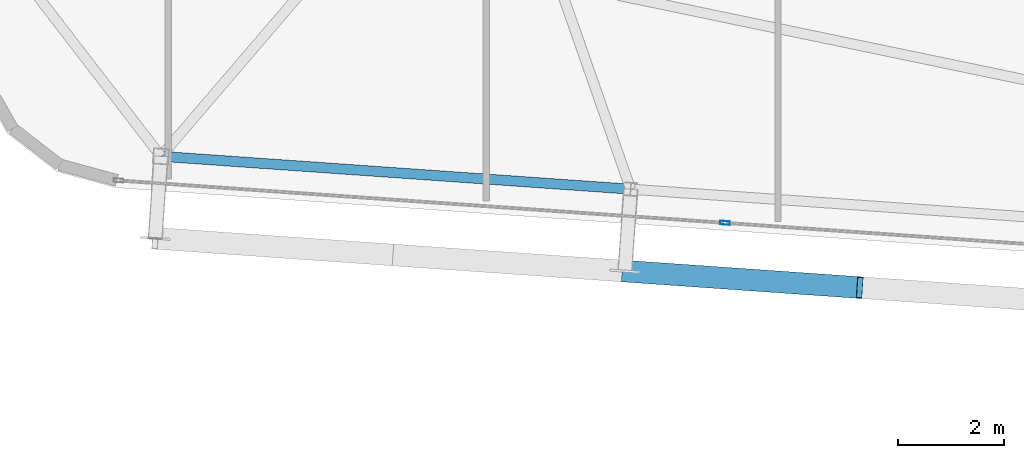
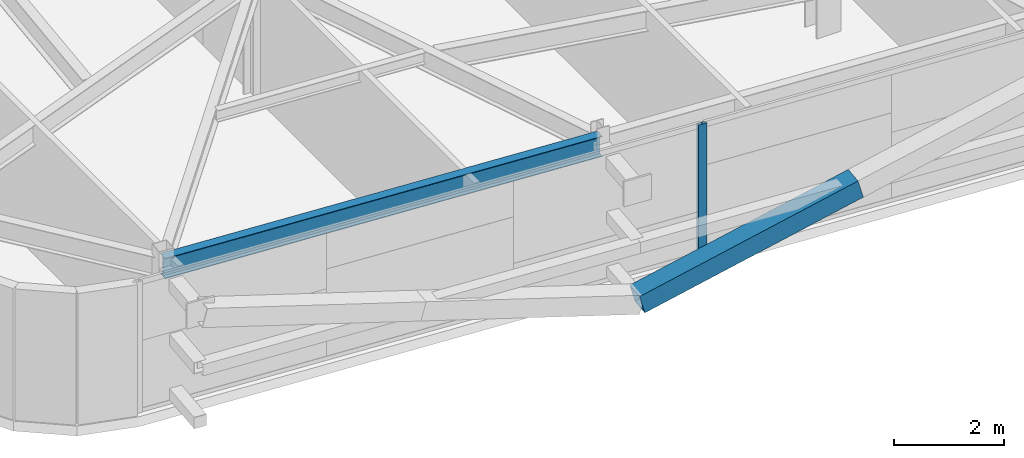
# One storey, part 7 of 39: 2 members, 1 beam, 1 element without a shape of its own.
"""IFC4 building model written with IfcOpenShell, lengths in metres."""

from ifc_helpers import new_model, si_unit, direction, frame, origin, origin_2d, place, context, subcontext, project, spatial, hollow_rectangle, i_section, extrude, source, transform, mapped, material, layer, layer_set, material_profile, profile_set, type_object, element, aggregate, save


model = new_model("IFC4")

# Units and contexts
model_context = context("Model", 3, precision=1e-05, world=origin(), true_north=direction((0.0, 1.0)))
body_context = subcontext(model_context, "Body", "Model", "MODEL_VIEW")
ifc_project = project(units=[si_unit("LENGTHUNIT", "METRE"), si_unit("AREAUNIT", "SQUARE_METRE"), si_unit("VOLUMEUNIT", "CUBIC_METRE"), si_unit("PLANEANGLEUNIT", "RADIAN"), si_unit("MASSUNIT", "GRAM", prefix="KILO")], contexts=[model_context])

# Site, building, storey
site_placement = place(None, origin())
site = spatial("IfcSite", under=ifc_project, at=site_placement, CompositionType="ELEMENT")
building_placement = place(site_placement, origin())
building = spatial("IfcBuilding", under=site, at=building_placement, Name="Taldren Reach Tower", CompositionType="ELEMENT")
storey_placement = place(building_placement, frame((0.0, 0.0, 123.550048828125)))
storey = spatial("IfcBuildingStorey", under=building, at=storey_placement, Name="L37", CompositionType="ELEMENT", Elevation=123.550048828125)

# Beam
ifc_material_1 = material(Name="Steel Gr 350 (350PLUS)", Category="steel")
ifc_material_profile_1 = material_profile(ifc_material_1, i_section(OverallWidth=0.18994140625, OverallDepth=0.4541015625, WebThickness=0.008544921875, FlangeThickness=0.0126953125, at=origin_2d()), Name="460UB67.1")
ifc_profile_set_1 = profile_set([ifc_material_profile_1], Name="Steel Gr 350 (350PLUS)")
beam_type = type_object("IfcBeamType", Name="SP-UB460B", PredefinedType="SPANDREL", material=ifc_profile_set_1)
shared_shape_1 = source(origin(), body_context, "Body", "SweptSolid", [
    extrude(i_section(OverallWidth=0.18994140625, OverallDepth=0.4541015625, WebThickness=0.008544921875, FlangeThickness=0.0126953125, at=origin_2d()), origin(), (0.0, 0.0, 1.0), 8.880126953125),
])
beam_placement = place(storey_placement, frame((11.863525390625, 5.33837890625, 2.702880859375), z_axis=(0.997564479639, -0.069750333063, 0.0), x_axis=(0.069750333063, 0.997564479639, 0.0)))
element("IfcBeam", 1, at=beam_placement, inside=storey, type_object=beam_type, Name="Perimeter spandrel B3 S1-S2 L37", PredefinedType="SPANDREL", context=body_context, shape_type="MappedRepresentation", body=[
    mapped(shared_shape_1, transform((0.0, 0.0, 0.0), scale=1.0)),
])

# Member
ifc_material_2 = material(Name="Steel Gr 450 (C450L0)", Category="steel")
ifc_material_profile_2 = material_profile(ifc_material_2, hollow_rectangle(XDim=0.409912109375, YDim=0.409912109375, WallThickness=0.01611328125, at=origin_2d()), Name="410x410x16.0SHS")
ifc_profile_set_2 = profile_set([ifc_material_profile_2], Name="Steel Gr 450 (C450L0)")
member_type_1 = type_object("IfcMemberType", Name="MB-EXO406", PredefinedType="BRACE", material=ifc_profile_set_2)
shared_shape_2 = source(origin(), body_context, "Body", "SweptSolid", [
    extrude(hollow_rectangle(XDim=0.409912109375, YDim=0.409912109375, WallThickness=0.01611328125, at=origin_2d()), origin(), (0.0, 0.0, 1.0), 4.603271484375),
])
member_1_placement = place(storey_placement, frame((20.61376953125, 3.1728515625, 0.219970703125), z_axis=(0.962182351074, -0.067302910567, 0.263961060594), x_axis=(0.06977769246, 0.997562566276, 0.0)))
element("IfcMember", 2, at=member_1_placement, inside=storey, type_object=member_type_1, Name="Exoskeleton Diagrid Brace B3-S2 L37", PredefinedType="BRACE", context=body_context, shape_type="MappedRepresentation", body=[
    mapped(shared_shape_2, transform((0.0, 0.0, 0.0), scale=1.0)),
])

# Curtain wall, member
ifc_material_3 = material(Name="Aluminium and Low-E Glass Unitised System", Category="aluminium")
ifc_layer = layer(ifc_material_3, 0.159912109375)
ifc_layer_set = layer_set([ifc_layer], Name="Aluminium and Low-E Glass Unitised System")
curtain_wall_type = type_object("IfcCurtainWallType", Name="CW-SYS-4", PredefinedType="NOTDEFINED", material=ifc_layer_set)
curtain_wall_placement = place(storey_placement, origin())
curtain_wall = element("IfcCurtainWall", 3, at=curtain_wall_placement, inside=storey, type_object=curtain_wall_type, Name="Unitised curtain wall CW-L37-S", PredefinedType="NOTDEFINED")
ifc_material_4 = material(Name="Anodised Aluminium 6063-T6", Category="aluminium")
ifc_material_profile_3 = material_profile(ifc_material_4, hollow_rectangle(XDim=0.070068359375, YDim=0.179931640625, WallThickness=0.00390625, at=origin_2d()), Name="ALU-180x70x4RHS")
ifc_profile_set_3 = profile_set([ifc_material_profile_3], Name="Anodised Aluminium 6063-T6")
member_type_2 = type_object("IfcMemberType", Name="CW-MUL-180", PredefinedType="MULLION", material=ifc_profile_set_3)
shared_shape_3 = source(origin(), body_context, "Body", "SweptSolid", [
    extrude(hollow_rectangle(XDim=0.070068359375, YDim=0.179931640625, WallThickness=0.00390625, at=origin_2d()), origin(), (0.0, 0.0, 1.0), 2.929931640625),
])
member_2_placement = place(storey_placement, frame((22.501953125, 4.083251953125, 0.0), z_axis=(0.0, 0.0, 1.0), x_axis=(0.06975651593, 0.99756404731, 0.0)))
member_2 = element("IfcMember", 4, at=member_2_placement, type_object=member_type_2, Name="CW-4 mullion 2", PredefinedType="MULLION", context=body_context, shape_type="MappedRepresentation", body=[
    mapped(shared_shape_3, transform((0.0, 0.0, 0.0), scale=1.0)),
])
aggregate(curtain_wall, [member_2])

save(model, "model.ifc")
